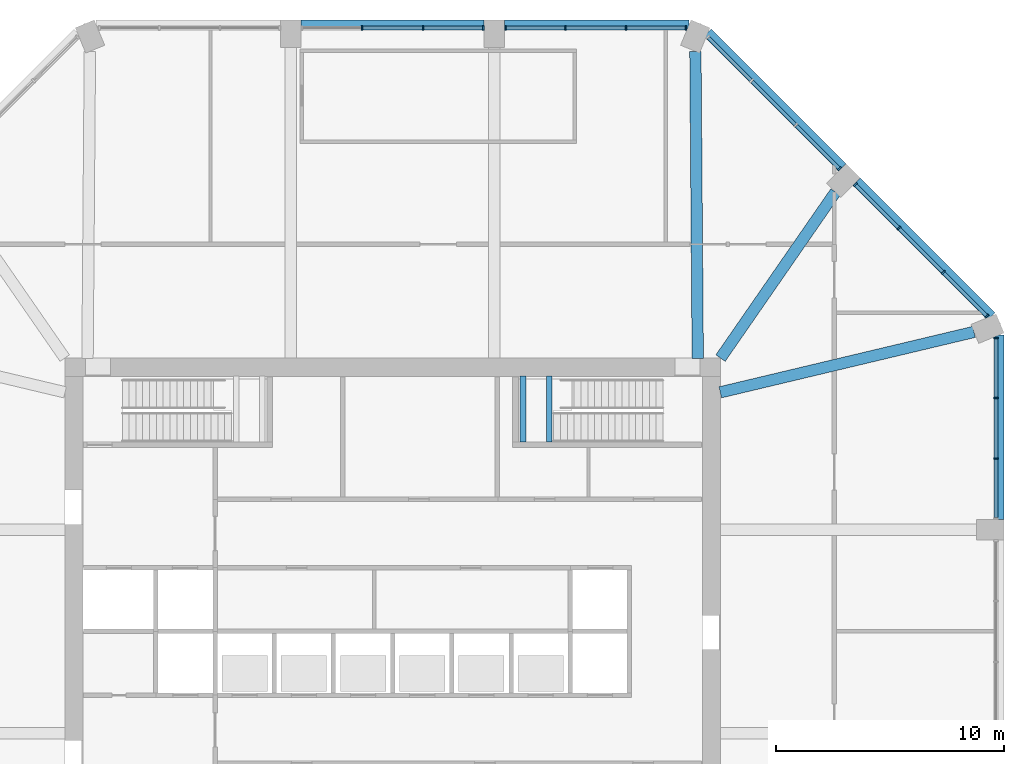
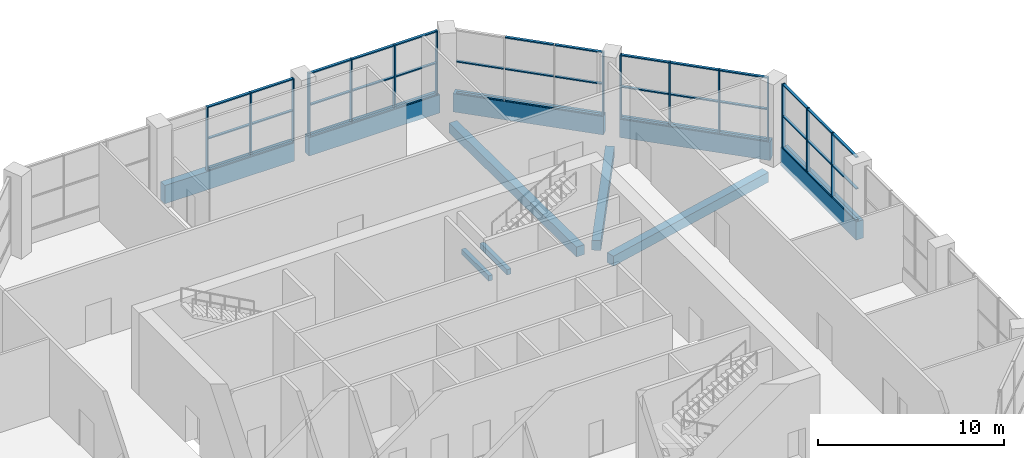
# One storey, part 7 of 16: 56 members, 10 beams, 5 elements without a shape of their own.
"""IFC4 building model written with IfcOpenShell, lengths in metres."""

from ifc_helpers import new_model, si_unit, direction, frame, origin, origin_2d, place, context, subcontext, project, spatial, rectangle, extrude, material, material_profile, profile_set, type_object, element, aggregate, save


model = new_model("IFC4")

# Units and contexts
model_context = context("Model", 3, precision=1e-05, world=origin(), true_north=direction((0.0, 1.0)))
body_context = subcontext(model_context, "Body", "Model", "MODEL_VIEW")
ifc_project = project(units=[si_unit("LENGTHUNIT", "METRE"), si_unit("AREAUNIT", "SQUARE_METRE"), si_unit("VOLUMEUNIT", "CUBIC_METRE"), si_unit("PLANEANGLEUNIT", "RADIAN"), si_unit("MASSUNIT", "GRAM", prefix="KILO")], contexts=[model_context])

# Site, building, storey
site_placement = place(None, origin())
site = spatial("IfcSite", under=ifc_project, at=site_placement, CompositionType="ELEMENT")
building_placement = place(site_placement, origin())
building = spatial("IfcBuilding", under=site, at=building_placement, Name="Msitu Wima Residences", CompositionType="ELEMENT")
storey_placement = place(building_placement, frame((0.0, 0.0, 156.89990234375)))
storey = spatial("IfcBuildingStorey", under=building, at=storey_placement, Name="L36", CompositionType="ELEMENT", Elevation=156.89990234375)

# Beams
ifc_material_1 = material(Name="Concrete C50/60", Category="concrete")
ifc_material_profile_1 = material_profile(ifc_material_1, rectangle(XDim=0.5, YDim=0.64990234375, at=origin_2d()), Name="RC 500x650")
ifc_profile_set_1 = profile_set([ifc_material_profile_1], Name="Concrete C50/60")
beam_type_1 = type_object("IfcBeamType", Name="Beam RC 500x650 Concrete C50/60", PredefinedType="BEAM", material=ifc_profile_set_1)
beam_1_placement = place(storey_placement, frame((25.5322265625, 13.150634765625, -0.724853515625), z_axis=(-0.972805528659, -0.231623408598, 0.0), x_axis=(0.231623408598, -0.972805528659, 0.0)))
element("IfcBeam", 1, at=beam_1_placement, inside=storey, type_object=beam_type_1, Name="Beam L36 C-NE0", PredefinedType="BEAM", context=body_context, shape_type="SweptSolid", body=[
    extrude(rectangle(XDim=0.5, YDim=0.64990234375, at=origin_2d()), origin(), (0.0, 0.0, 1.0), 11.455322265625),
])
beam_2_placement = place(storey_placement, frame((19.44970703125, 19.29541015625, -0.724853515625), z_axis=(-0.569144158363, -0.822237755763, 0.0), x_axis=(0.822237755763, -0.569144158363, 0.0)))
element("IfcBeam", 2, at=beam_2_placement, inside=storey, type_object=beam_type_1, Name="Beam L36 C-NE1", PredefinedType="BEAM", context=body_context, shape_type="SweptSolid", body=[
    extrude(rectangle(XDim=0.5, YDim=0.64990234375, at=origin_2d()), origin(), (0.0, 0.0, 1.0), 8.87255859375),
])
beam_3_placement = place(storey_placement, frame((13.29638671875, 25.471923828125, -0.724853515625), z_axis=(0.007694865426, -0.999970394085, 0.0), x_axis=(0.999970394085, 0.007694865426, 0.0)))
element("IfcBeam", 3, at=beam_3_placement, inside=storey, type_object=beam_type_1, Name="Beam L36 C-N0", PredefinedType="BEAM", context=body_context, shape_type="SweptSolid", body=[
    extrude(rectangle(XDim=0.5, YDim=0.64990234375, at=origin_2d()), origin(), (0.0, 0.0, 1.0), 13.484375),
])
ifc_material_2 = material(Name="Concrete C40/50", Category="concrete")
ifc_material_profile_2 = material_profile(ifc_material_2, rectangle(XDim=0.25, YDim=0.35009765625, at=origin_2d()), Name="RC 250x350")
ifc_profile_set_2 = profile_set([ifc_material_profile_2], Name="Concrete C40/50")
beam_type_2 = type_object("IfcBeamType", Name="Landing beam RC 250x350", PredefinedType="BEAM", material=ifc_profile_set_2)
for number, where, z_axis, x_axis, name in (
    (4, (6.875, 8.324951171875, 2.406982421875), (0.0, 1.0, 0.0), (-1.0, 0.0, 0.0), "Stair 3 landing beam"),
    (5, (5.72509765625, 8.324951171875, 2.406982421875), (0.0, 1.0, 0.0), (-1.0, 0.0, 0.0), "Stair 3 landing beam"),
):
    element("IfcBeam", number, at=place(storey_placement, frame(where, z_axis=z_axis, x_axis=x_axis)), inside=storey, type_object=beam_type_2, Name=name, PredefinedType="BEAM", context=body_context, shape_type="SweptSolid", body=[
        extrude(rectangle(XDim=0.25, YDim=0.35009765625, at=origin_2d()), origin(), (0.0, 0.0, 1.0), 2.900146484375),
    ])

# Curtain wall, members
ifc_material_3 = material(Name="Anodised aluminium, bronze finish, solar control laminated double glazing", Category="aluminium")
curtain_wall_type = type_object("IfcCurtainWallType", Name="Curtain wall CW2 sky amenity wall", PredefinedType="NOTDEFINED", material=ifc_material_3)
curtain_wall_1_placement = place(storey_placement, origin())
curtain_wall_1 = element("IfcCurtainWall", 6, at=curtain_wall_1_placement, inside=storey, type_object=curtain_wall_type, Name="Curtain wall CW2 L36 E2", PredefinedType="NOTDEFINED")
ifc_material_4 = material(Name="Anodised aluminium, bronze finish", Category="aluminium")
ifc_material_profile_3 = material_profile(ifc_material_4, rectangle(XDim=0.199951171875, YDim=0.074951171875, at=origin_2d()), Name="Mullion 75x200")
ifc_profile_set_3 = profile_set([ifc_material_profile_3], Name="Anodised aluminium, bronze finish")
member_type_1 = type_object("IfcMemberType", Name="Mullion CW2 75x200", PredefinedType="MULLION", material=ifc_profile_set_3)
member_1_placement = place(storey_placement, frame((26.5, 7.58544921875, 0.900146484375), z_axis=(0.0, 0.0, 1.0), x_axis=(-1.0, 0.0, 0.0)))
member_1 = element("IfcMember", 7, at=member_1_placement, type_object=member_type_1, Name="CW2 mullion 2", PredefinedType="MULLION", context=body_context, shape_type="SweptSolid", body=[
    extrude(rectangle(XDim=0.199951171875, YDim=0.074951171875, at=origin_2d()), origin(), (0.0, 0.0, 1.0), 4.199951171875),
])
member_2_placement = place(storey_placement, frame((26.5, 10.252197265625, 0.900146484375), z_axis=(0.0, 0.0, 1.0), x_axis=(-1.0, 0.0, 0.0)))
member_2 = element("IfcMember", 8, at=member_2_placement, type_object=member_type_1, Name="CW2 mullion 3", PredefinedType="MULLION", context=body_context, shape_type="SweptSolid", body=[
    extrude(rectangle(XDim=0.199951171875, YDim=0.074951171875, at=origin_2d()), origin(), (0.0, 0.0, 1.0), 4.199951171875),
])
member_3_placement = place(storey_placement, frame((26.5, 12.88134765625, 0.900146484375), z_axis=(0.0, 0.0, 1.0), x_axis=(-1.0, 0.0, 0.0)))
member_3 = element("IfcMember", 9, at=member_3_placement, type_object=member_type_1, Name="CW2 mullion 4", PredefinedType="MULLION", context=body_context, shape_type="SweptSolid", body=[
    extrude(rectangle(XDim=0.199951171875, YDim=0.074951171875, at=origin_2d()), origin(), (0.0, 0.0, 1.0), 4.199951171875),
])

curtain_wall_2_placement = place(storey_placement, origin())
curtain_wall_2 = element("IfcCurtainWall", 10, at=curtain_wall_2_placement, inside=storey, type_object=curtain_wall_type, Name="Curtain wall CW2 L36 NE0", PredefinedType="NOTDEFINED")
member_4_placement = place(storey_placement, frame((26.099853515625, 13.847412109375, 0.900146484375), z_axis=(0.0, 0.0, 1.0), x_axis=(-0.707106841783, -0.707106720591, 0.0)))
member_4 = element("IfcMember", 11, at=member_4_placement, type_object=member_type_1, Name="CW2 mullion 1", PredefinedType="MULLION", context=body_context, shape_type="SweptSolid", body=[
    extrude(rectangle(XDim=0.199951171875, YDim=0.074951171875, at=origin_2d()), origin(), (0.0, 0.0, 1.0), 4.199951171875),
])
member_5_placement = place(storey_placement, frame((24.181396484375, 15.765869140625, 0.900146484375), z_axis=(0.0, 0.0, 1.0), x_axis=(-0.707106841783, -0.707106720591, 0.0)))
member_5 = element("IfcMember", 12, at=member_5_placement, type_object=member_type_1, Name="CW2 mullion 2", PredefinedType="MULLION", context=body_context, shape_type="SweptSolid", body=[
    extrude(rectangle(XDim=0.199951171875, YDim=0.074951171875, at=origin_2d()), origin(), (0.0, 0.0, 1.0), 4.199951171875),
])
member_6_placement = place(storey_placement, frame((22.236572265625, 17.710693359375, 0.900146484375), z_axis=(0.0, 0.0, 1.0), x_axis=(-0.707106841783, -0.707106720591, 0.0)))
member_6 = element("IfcMember", 13, at=member_6_placement, type_object=member_type_1, Name="CW2 mullion 3", PredefinedType="MULLION", context=body_context, shape_type="SweptSolid", body=[
    extrude(rectangle(XDim=0.199951171875, YDim=0.074951171875, at=origin_2d()), origin(), (0.0, 0.0, 1.0), 4.199951171875),
])
member_7_placement = place(storey_placement, frame((20.318359375, 19.62890625, 0.900146484375), z_axis=(0.0, 0.0, 1.0), x_axis=(-0.707106841783, -0.707106720591, 0.0)))
member_7 = element("IfcMember", 14, at=member_7_placement, type_object=member_type_1, Name="CW2 mullion 4", PredefinedType="MULLION", context=body_context, shape_type="SweptSolid", body=[
    extrude(rectangle(XDim=0.199951171875, YDim=0.074951171875, at=origin_2d()), origin(), (0.0, 0.0, 1.0), 4.199951171875),
])

# Curtain wall, member
curtain_wall_3_placement = place(storey_placement, origin())
curtain_wall_3 = element("IfcCurtainWall", 15, at=curtain_wall_3_placement, inside=storey, type_object=curtain_wall_type, Name="Curtain wall CW2 L36 NE1", PredefinedType="NOTDEFINED")
member_8_placement = place(storey_placement, frame((19.62890625, 20.318359375, 0.900146484375), z_axis=(0.0, 0.0, 1.0), x_axis=(-0.707106781187, -0.707106781187, 0.0)))
member_8 = element("IfcMember", 16, at=member_8_placement, type_object=member_type_1, Name="CW2 mullion 1", PredefinedType="MULLION", context=body_context, shape_type="SweptSolid", body=[
    extrude(rectangle(XDim=0.199951171875, YDim=0.074951171875, at=origin_2d()), origin(), (0.0, 0.0, 1.0), 4.199951171875),
])

# Curtain wall, members
curtain_wall_4_placement = place(storey_placement, origin())
curtain_wall_4 = element("IfcCurtainWall", 17, at=curtain_wall_4_placement, inside=storey, type_object=curtain_wall_type, Name="Curtain wall CW2 L36 N0", PredefinedType="NOTDEFINED")
member_9_placement = place(storey_placement, frame((12.88134765625, 26.5, 0.900146484375), z_axis=(0.0, 0.0, 1.0), x_axis=(0.0, -1.0, 0.0)))
member_9 = element("IfcMember", 18, at=member_9_placement, type_object=member_type_1, Name="CW2 mullion 1", PredefinedType="MULLION", context=body_context, shape_type="SweptSolid", body=[
    extrude(rectangle(XDim=0.199951171875, YDim=0.074951171875, at=origin_2d()), origin(), (0.0, 0.0, 1.0), 4.199951171875),
])
member_10_placement = place(storey_placement, frame((10.252197265625, 26.5, 0.900146484375), z_axis=(0.0, 0.0, 1.0), x_axis=(0.0, -1.0, 0.0)))
member_10 = element("IfcMember", 19, at=member_10_placement, type_object=member_type_1, Name="CW2 mullion 2", PredefinedType="MULLION", context=body_context, shape_type="SweptSolid", body=[
    extrude(rectangle(XDim=0.199951171875, YDim=0.074951171875, at=origin_2d()), origin(), (0.0, 0.0, 1.0), 4.199951171875),
])
member_11_placement = place(storey_placement, frame((7.58544921875, 26.5, 0.900146484375), z_axis=(0.0, 0.0, 1.0), x_axis=(0.0, -1.0, 0.0)))
member_11 = element("IfcMember", 20, at=member_11_placement, type_object=member_type_1, Name="CW2 mullion 3", PredefinedType="MULLION", context=body_context, shape_type="SweptSolid", body=[
    extrude(rectangle(XDim=0.199951171875, YDim=0.074951171875, at=origin_2d()), origin(), (0.0, 0.0, 1.0), 4.199951171875),
])
member_12_placement = place(storey_placement, frame((4.9560546875, 26.5, 0.900146484375), z_axis=(0.0, 0.0, 1.0), x_axis=(0.0, -1.0, 0.0)))
member_12 = element("IfcMember", 21, at=member_12_placement, type_object=member_type_1, Name="CW2 mullion 4", PredefinedType="MULLION", context=body_context, shape_type="SweptSolid", body=[
    extrude(rectangle(XDim=0.199951171875, YDim=0.074951171875, at=origin_2d()), origin(), (0.0, 0.0, 1.0), 4.199951171875),
])

curtain_wall_5_placement = place(storey_placement, origin())
curtain_wall_5 = element("IfcCurtainWall", 22, at=curtain_wall_5_placement, inside=storey, type_object=curtain_wall_type, Name="Curtain wall CW2 L36 N1", PredefinedType="NOTDEFINED")
member_13_placement = place(storey_placement, frame((3.981201171875, 26.5, 0.900146484375), z_axis=(0.0, 0.0, 1.0), x_axis=(0.0, -1.0, 0.0)))
member_13 = element("IfcMember", 23, at=member_13_placement, type_object=member_type_1, Name="CW2 mullion 1", PredefinedType="MULLION", context=body_context, shape_type="SweptSolid", body=[
    extrude(rectangle(XDim=0.199951171875, YDim=0.074951171875, at=origin_2d()), origin(), (0.0, 0.0, 1.0), 4.199951171875),
])
member_14_placement = place(storey_placement, frame((1.339599609375, 26.5, 0.900146484375), z_axis=(0.0, 0.0, 1.0), x_axis=(0.0, -1.0, 0.0)))
member_14 = element("IfcMember", 24, at=member_14_placement, type_object=member_type_1, Name="CW2 mullion 2", PredefinedType="MULLION", context=body_context, shape_type="SweptSolid", body=[
    extrude(rectangle(XDim=0.199951171875, YDim=0.074951171875, at=origin_2d()), origin(), (0.0, 0.0, 1.0), 4.199951171875),
])
member_15_placement = place(storey_placement, frame((-1.339599609375, 26.5, 0.900146484375), z_axis=(0.0, 0.0, 1.0), x_axis=(0.0, -1.0, 0.0)))
member_15 = element("IfcMember", 25, at=member_15_placement, type_object=member_type_1, Name="CW2 mullion 3", PredefinedType="MULLION", context=body_context, shape_type="SweptSolid", body=[
    extrude(rectangle(XDim=0.199951171875, YDim=0.074951171875, at=origin_2d()), origin(), (0.0, 0.0, 1.0), 4.199951171875),
])

# Beams
ifc_material_profile_4 = material_profile(ifc_material_1, rectangle(XDim=0.449951171875, YDim=1.199951171875, at=origin_2d()), Name="RC 450x1200")
ifc_profile_set_4 = profile_set([ifc_material_profile_4], Name="Concrete C50/60")
beam_type_3 = type_object("IfcBeamType", Name="Spandrel RC 450x1200 Concrete C50/60", PredefinedType="SPANDREL", material=ifc_profile_set_4)
beam_4_placement = place(storey_placement, frame((26.625, 4.918701171875, 0.300048828125), z_axis=(0.0, 1.0, 0.0), x_axis=(-1.0, 0.0, 0.0)))
element("IfcBeam", 26, at=beam_4_placement, inside=storey, type_object=beam_type_3, Name="Spandrel L36 E2", PredefinedType="SPANDREL", context=body_context, shape_type="SweptSolid", body=[
    extrude(rectangle(XDim=0.449951171875, YDim=1.199951171875, at=origin_2d()), origin(), (0.0, 0.0, 1.0), 8.105224609375),
])
for number, where, z_axis, x_axis, name in (
    (27, (26.2890625, 13.8349609375, 0.300048828125), (-0.707106781187, 0.707106781187, 0.0), (-0.707106781187, -0.707106781187, 0.0), "Spandrel L36 NE0"),
    (28, (19.743896484375, 20.380126953125, 0.300048828125), (-0.707106781187, 0.707106781187, 0.0), (-0.707106781187, -0.707106781187, 0.0), "Spandrel L36 NE1"),
):
    element("IfcBeam", number, at=place(storey_placement, frame(where, z_axis=z_axis, x_axis=x_axis)), inside=storey, type_object=beam_type_3, Name=name, PredefinedType="SPANDREL", context=body_context, shape_type="SweptSolid", body=[
        extrude(rectangle(XDim=0.449951171875, YDim=1.199951171875, at=origin_2d()), origin(), (0.0, 0.0, 1.0), 8.3564453125),
    ])
beam_5_placement = place(storey_placement, frame((13.02392578125, 26.625, 0.300048828125), z_axis=(-1.0, 0.0, 0.0), x_axis=(0.0, -1.0, 0.0)))
element("IfcBeam", 29, at=beam_5_placement, inside=storey, type_object=beam_type_3, Name="Spandrel L36 N0", PredefinedType="SPANDREL", context=body_context, shape_type="SweptSolid", body=[
    extrude(rectangle(XDim=0.449951171875, YDim=1.199951171875, at=origin_2d()), origin(), (0.0, 0.0, 1.0), 8.105224609375),
])
beam_6_placement = place(storey_placement, frame((4.0185546875, 26.625, 0.300048828125), z_axis=(-1.0, 0.0, 0.0), x_axis=(0.0, -1.0, 0.0)))
element("IfcBeam", 30, at=beam_6_placement, inside=storey, type_object=beam_type_3, Name="Spandrel L36 N1", PredefinedType="SPANDREL", context=body_context, shape_type="SweptSolid", body=[
    extrude(rectangle(XDim=0.449951171875, YDim=1.199951171875, at=origin_2d()), origin(), (0.0, 0.0, 1.0), 8.037109375),
])

# Member
ifc_material_profile_5 = material_profile(ifc_material_4, rectangle(XDim=0.159912109375, YDim=0.074951171875, at=origin_2d()), Name="Transom 75x160")
ifc_profile_set_5 = profile_set([ifc_material_profile_5], Name="Anodised aluminium, bronze finish")
member_type_2 = type_object("IfcMemberType", Name="Transom CW2 75x160", PredefinedType="USERDEFINED", material=ifc_profile_set_5)
member_16_placement = place(storey_placement, frame((26.5, 4.99365234375, 0.9375), z_axis=(0.0, 1.0, 0.0), x_axis=(-1.0, 0.0, 0.0)))
member_16 = element("IfcMember", 31, at=member_16_placement, type_object=member_type_2, Name="CW2 transom 1.1", ObjectType="TRANSOM", PredefinedType="USERDEFINED", context=body_context, shape_type="SweptSolid", body=[
    extrude(rectangle(XDim=0.159912109375, YDim=0.074951171875, at=origin_2d()), origin(), (0.0, 0.0, 1.0), 2.55419921875),
])

member_17_placement = place(storey_placement, frame((26.5, 4.99365234375, 3.0), z_axis=(0.0, 1.0, 0.0), x_axis=(-1.0, 0.0, 0.0)))
member_17 = element("IfcMember", 32, at=member_17_placement, type_object=member_type_2, Name="CW2 transom 1.2", ObjectType="TRANSOM", PredefinedType="USERDEFINED", context=body_context, shape_type="SweptSolid", body=[
    extrude(rectangle(XDim=0.159912109375, YDim=0.074951171875, at=origin_2d()), origin(), (0.0, 0.0, 1.0), 2.55419921875),
])

member_18_placement = place(storey_placement, frame((26.5, 4.99365234375, 5.0625), z_axis=(0.0, 1.0, 0.0), x_axis=(-1.0, 0.0, 0.0)))
member_18 = element("IfcMember", 33, at=member_18_placement, type_object=member_type_2, Name="CW2 transom 1.3", ObjectType="TRANSOM", PredefinedType="USERDEFINED", context=body_context, shape_type="SweptSolid", body=[
    extrude(rectangle(XDim=0.159912109375, YDim=0.074951171875, at=origin_2d()), origin(), (0.0, 0.0, 1.0), 2.55419921875),
])

member_19_placement = place(storey_placement, frame((26.5, 7.622802734375, 0.9375), z_axis=(0.0, 1.0, 0.0), x_axis=(-1.0, 0.0, 0.0)))
member_19 = element("IfcMember", 34, at=member_19_placement, type_object=member_type_2, Name="CW2 transom 2.1", ObjectType="TRANSOM", PredefinedType="USERDEFINED", context=body_context, shape_type="SweptSolid", body=[
    extrude(rectangle(XDim=0.159912109375, YDim=0.074951171875, at=origin_2d()), origin(), (0.0, 0.0, 1.0), 2.591796875),
])

member_20_placement = place(storey_placement, frame((26.5, 7.622802734375, 3.0), z_axis=(0.0, 1.0, 0.0), x_axis=(-1.0, 0.0, 0.0)))
member_20 = element("IfcMember", 35, at=member_20_placement, type_object=member_type_2, Name="CW2 transom 2.2", ObjectType="TRANSOM", PredefinedType="USERDEFINED", context=body_context, shape_type="SweptSolid", body=[
    extrude(rectangle(XDim=0.159912109375, YDim=0.074951171875, at=origin_2d()), origin(), (0.0, 0.0, 1.0), 2.591796875),
])

member_21_placement = place(storey_placement, frame((26.5, 7.622802734375, 5.0625), z_axis=(0.0, 1.0, 0.0), x_axis=(-1.0, 0.0, 0.0)))
member_21 = element("IfcMember", 36, at=member_21_placement, type_object=member_type_2, Name="CW2 transom 2.3", ObjectType="TRANSOM", PredefinedType="USERDEFINED", context=body_context, shape_type="SweptSolid", body=[
    extrude(rectangle(XDim=0.159912109375, YDim=0.074951171875, at=origin_2d()), origin(), (0.0, 0.0, 1.0), 2.591796875),
])

member_22_placement = place(storey_placement, frame((26.5, 10.28955078125, 0.9375), z_axis=(0.0, 1.0, 0.0), x_axis=(-1.0, 0.0, 0.0)))
member_22 = element("IfcMember", 37, at=member_22_placement, type_object=member_type_2, Name="CW2 transom 3.1", ObjectType="TRANSOM", PredefinedType="USERDEFINED", context=body_context, shape_type="SweptSolid", body=[
    extrude(rectangle(XDim=0.159912109375, YDim=0.074951171875, at=origin_2d()), origin(), (0.0, 0.0, 1.0), 2.55419921875),
])

member_23_placement = place(storey_placement, frame((26.5, 10.28955078125, 3.0), z_axis=(0.0, 1.0, 0.0), x_axis=(-1.0, 0.0, 0.0)))
member_23 = element("IfcMember", 38, at=member_23_placement, type_object=member_type_2, Name="CW2 transom 3.2", ObjectType="TRANSOM", PredefinedType="USERDEFINED", context=body_context, shape_type="SweptSolid", body=[
    extrude(rectangle(XDim=0.159912109375, YDim=0.074951171875, at=origin_2d()), origin(), (0.0, 0.0, 1.0), 2.55419921875),
])

member_24_placement = place(storey_placement, frame((26.5, 10.28955078125, 5.0625), z_axis=(0.0, 1.0, 0.0), x_axis=(-1.0, 0.0, 0.0)))
member_24 = element("IfcMember", 39, at=member_24_placement, type_object=member_type_2, Name="CW2 transom 3.3", ObjectType="TRANSOM", PredefinedType="USERDEFINED", context=body_context, shape_type="SweptSolid", body=[
    extrude(rectangle(XDim=0.159912109375, YDim=0.074951171875, at=origin_2d()), origin(), (0.0, 0.0, 1.0), 2.55419921875),
])

aggregate(curtain_wall_1, [member_1, member_2, member_3, member_16, member_17, member_18, member_19, member_20, member_21, member_22, member_23, member_24])

member_25_placement = place(storey_placement, frame((26.0732421875, 13.8740234375, 0.9375), z_axis=(-0.707106781187, 0.707106781187, 0.0), x_axis=(-0.707106781187, -0.707106781187, 0.0)))
member_25 = element("IfcMember", 40, at=member_25_placement, type_object=member_type_2, Name="CW2 transom 1.1", ObjectType="TRANSOM", PredefinedType="USERDEFINED", context=body_context, shape_type="SweptSolid", body=[
    extrude(rectangle(XDim=0.159912109375, YDim=0.074951171875, at=origin_2d()), origin(), (0.0, 0.0, 1.0), 2.637939453125),
])

member_26_placement = place(storey_placement, frame((26.0732421875, 13.8740234375, 3.0), z_axis=(-0.707106781187, 0.707106781187, 0.0), x_axis=(-0.707106781187, -0.707106781187, 0.0)))
member_26 = element("IfcMember", 41, at=member_26_placement, type_object=member_type_2, Name="CW2 transom 1.2", ObjectType="TRANSOM", PredefinedType="USERDEFINED", context=body_context, shape_type="SweptSolid", body=[
    extrude(rectangle(XDim=0.159912109375, YDim=0.074951171875, at=origin_2d()), origin(), (0.0, 0.0, 1.0), 2.637939453125),
])

member_27_placement = place(storey_placement, frame((26.0732421875, 13.8740234375, 5.0625), z_axis=(-0.707106781187, 0.707106781187, 0.0), x_axis=(-0.707106781187, -0.707106781187, 0.0)))
member_27 = element("IfcMember", 42, at=member_27_placement, type_object=member_type_2, Name="CW2 transom 1.3", ObjectType="TRANSOM", PredefinedType="USERDEFINED", context=body_context, shape_type="SweptSolid", body=[
    extrude(rectangle(XDim=0.159912109375, YDim=0.074951171875, at=origin_2d()), origin(), (0.0, 0.0, 1.0), 2.637939453125),
])

member_28_placement = place(storey_placement, frame((24.155029296875, 15.792236328125, 0.9375), z_axis=(-0.707106781187, 0.707106781187, 0.0), x_axis=(-0.707106781187, -0.707106781187, 0.0)))
member_28 = element("IfcMember", 43, at=member_28_placement, type_object=member_type_2, Name="CW2 transom 2.1", ObjectType="TRANSOM", PredefinedType="USERDEFINED", context=body_context, shape_type="SweptSolid", body=[
    extrude(rectangle(XDim=0.159912109375, YDim=0.074951171875, at=origin_2d()), origin(), (0.0, 0.0, 1.0), 2.675537109375),
])

member_29_placement = place(storey_placement, frame((24.155029296875, 15.792236328125, 3.0), z_axis=(-0.707106781187, 0.707106781187, 0.0), x_axis=(-0.707106781187, -0.707106781187, 0.0)))
member_29 = element("IfcMember", 44, at=member_29_placement, type_object=member_type_2, Name="CW2 transom 2.2", ObjectType="TRANSOM", PredefinedType="USERDEFINED", context=body_context, shape_type="SweptSolid", body=[
    extrude(rectangle(XDim=0.159912109375, YDim=0.074951171875, at=origin_2d()), origin(), (0.0, 0.0, 1.0), 2.675537109375),
])

member_30_placement = place(storey_placement, frame((24.155029296875, 15.792236328125, 5.0625), z_axis=(-0.707106781187, 0.707106781187, 0.0), x_axis=(-0.707106781187, -0.707106781187, 0.0)))
member_30 = element("IfcMember", 45, at=member_30_placement, type_object=member_type_2, Name="CW2 transom 2.3", ObjectType="TRANSOM", PredefinedType="USERDEFINED", context=body_context, shape_type="SweptSolid", body=[
    extrude(rectangle(XDim=0.159912109375, YDim=0.074951171875, at=origin_2d()), origin(), (0.0, 0.0, 1.0), 2.675537109375),
])

member_31_placement = place(storey_placement, frame((22.210205078125, 17.737060546875, 0.9375), z_axis=(-0.707060506079, 0.707153053266, 0.0), x_axis=(-0.707153053266, -0.707060506079, 0.0)))
member_31 = element("IfcMember", 46, at=member_31_placement, type_object=member_type_2, Name="CW2 transom 3.1", ObjectType="TRANSOM", PredefinedType="USERDEFINED", context=body_context, shape_type="SweptSolid", body=[
    extrude(rectangle(XDim=0.159912109375, YDim=0.074951171875, at=origin_2d()), origin(), (0.0, 0.0, 1.0), 2.637939453125),
])

member_32_placement = place(storey_placement, frame((22.210205078125, 17.737060546875, 3.0), z_axis=(-0.707060506079, 0.707153053266, 0.0), x_axis=(-0.707153053266, -0.707060506079, 0.0)))
member_32 = element("IfcMember", 47, at=member_32_placement, type_object=member_type_2, Name="CW2 transom 3.2", ObjectType="TRANSOM", PredefinedType="USERDEFINED", context=body_context, shape_type="SweptSolid", body=[
    extrude(rectangle(XDim=0.159912109375, YDim=0.074951171875, at=origin_2d()), origin(), (0.0, 0.0, 1.0), 2.637939453125),
])

member_33_placement = place(storey_placement, frame((22.210205078125, 17.737060546875, 5.0625), z_axis=(-0.707060506079, 0.707153053266, 0.0), x_axis=(-0.707153053266, -0.707060506079, 0.0)))
member_33 = element("IfcMember", 48, at=member_33_placement, type_object=member_type_2, Name="CW2 transom 3.3", ObjectType="TRANSOM", PredefinedType="USERDEFINED", context=body_context, shape_type="SweptSolid", body=[
    extrude(rectangle(XDim=0.159912109375, YDim=0.074951171875, at=origin_2d()), origin(), (0.0, 0.0, 1.0), 2.637939453125),
])

aggregate(curtain_wall_2, [member_4, member_5, member_6, member_7, member_25, member_26, member_27, member_28, member_29, member_30, member_31, member_32, member_33])

member_34_placement = place(storey_placement, frame((19.6025390625, 20.344970703125, 0.9375), z_axis=(-0.707153053266, 0.707060506079, 0.0), x_axis=(-0.707060506079, -0.707153053266, 0.0)))
member_34 = element("IfcMember", 49, at=member_34_placement, type_object=member_type_2, Name="CW2 transom 1.1", ObjectType="TRANSOM", PredefinedType="USERDEFINED", context=body_context, shape_type="SweptSolid", body=[
    extrude(rectangle(XDim=0.159912109375, YDim=0.074951171875, at=origin_2d()), origin(), (0.0, 0.0, 1.0), 2.637939453125),
])

member_35_placement = place(storey_placement, frame((19.6025390625, 20.344970703125, 3.0), z_axis=(-0.707153053266, 0.707060506079, 0.0), x_axis=(-0.707060506079, -0.707153053266, 0.0)))
member_35 = element("IfcMember", 50, at=member_35_placement, type_object=member_type_2, Name="CW2 transom 1.2", ObjectType="TRANSOM", PredefinedType="USERDEFINED", context=body_context, shape_type="SweptSolid", body=[
    extrude(rectangle(XDim=0.159912109375, YDim=0.074951171875, at=origin_2d()), origin(), (0.0, 0.0, 1.0), 2.637939453125),
])

member_36_placement = place(storey_placement, frame((19.6025390625, 20.344970703125, 5.0625), z_axis=(-0.707153053266, 0.707060506079, 0.0), x_axis=(-0.707060506079, -0.707153053266, 0.0)))
member_36 = element("IfcMember", 51, at=member_36_placement, type_object=member_type_2, Name="CW2 transom 1.3", ObjectType="TRANSOM", PredefinedType="USERDEFINED", context=body_context, shape_type="SweptSolid", body=[
    extrude(rectangle(XDim=0.159912109375, YDim=0.074951171875, at=origin_2d()), origin(), (0.0, 0.0, 1.0), 2.637939453125),
])

member_37_placement = place(storey_placement, frame((17.68408203125, 22.26318359375, 0.9375), z_axis=(-0.707106781187, 0.707106781187, 0.0), x_axis=(-0.707106781187, -0.707106781187, 0.0)))
member_37 = element("IfcMember", 52, at=member_37_placement, type_object=member_type_2, Name="CW2 transom 2.1", ObjectType="TRANSOM", PredefinedType="USERDEFINED", context=body_context, shape_type="SweptSolid", body=[
    extrude(rectangle(XDim=0.159912109375, YDim=0.074951171875, at=origin_2d()), origin(), (0.0, 0.0, 1.0), 2.675537109375),
])

member_38_placement = place(storey_placement, frame((17.68408203125, 22.26318359375, 3.0), z_axis=(-0.707106781187, 0.707106781187, 0.0), x_axis=(-0.707106781187, -0.707106781187, 0.0)))
member_38 = element("IfcMember", 53, at=member_38_placement, type_object=member_type_2, Name="CW2 transom 2.2", ObjectType="TRANSOM", PredefinedType="USERDEFINED", context=body_context, shape_type="SweptSolid", body=[
    extrude(rectangle(XDim=0.159912109375, YDim=0.074951171875, at=origin_2d()), origin(), (0.0, 0.0, 1.0), 2.675537109375),
])

member_39_placement = place(storey_placement, frame((17.68408203125, 22.26318359375, 5.0625), z_axis=(-0.707106781187, 0.707106781187, 0.0), x_axis=(-0.707106781187, -0.707106781187, 0.0)))
member_39 = element("IfcMember", 54, at=member_39_placement, type_object=member_type_2, Name="CW2 transom 2.3", ObjectType="TRANSOM", PredefinedType="USERDEFINED", context=body_context, shape_type="SweptSolid", body=[
    extrude(rectangle(XDim=0.159912109375, YDim=0.074951171875, at=origin_2d()), origin(), (0.0, 0.0, 1.0), 2.675537109375),
])

member_40_placement = place(storey_placement, frame((15.7392578125, 24.2080078125, 0.9375), z_axis=(-0.707106781187, 0.707106781187, 0.0), x_axis=(-0.707106781187, -0.707106781187, 0.0)))
member_40 = element("IfcMember", 55, at=member_40_placement, type_object=member_type_2, Name="CW2 transom 3.1", ObjectType="TRANSOM", PredefinedType="USERDEFINED", context=body_context, shape_type="SweptSolid", body=[
    extrude(rectangle(XDim=0.159912109375, YDim=0.074951171875, at=origin_2d()), origin(), (0.0, 0.0, 1.0), 2.637939453125),
])

member_41_placement = place(storey_placement, frame((15.7392578125, 24.2080078125, 3.0), z_axis=(-0.707106781187, 0.707106781187, 0.0), x_axis=(-0.707106781187, -0.707106781187, 0.0)))
member_41 = element("IfcMember", 56, at=member_41_placement, type_object=member_type_2, Name="CW2 transom 3.2", ObjectType="TRANSOM", PredefinedType="USERDEFINED", context=body_context, shape_type="SweptSolid", body=[
    extrude(rectangle(XDim=0.159912109375, YDim=0.074951171875, at=origin_2d()), origin(), (0.0, 0.0, 1.0), 2.637939453125),
])

aggregate(curtain_wall_3, [member_8, member_34, member_35, member_36, member_37, member_38, member_39, member_40, member_41])

member_42_placement = place(storey_placement, frame((12.84375, 26.5, 0.9375), z_axis=(-1.0, 0.0, 0.0), x_axis=(0.0, -1.0, 0.0)))
member_42 = element("IfcMember", 57, at=member_42_placement, type_object=member_type_2, Name="CW2 transom 1.1", ObjectType="TRANSOM", PredefinedType="USERDEFINED", context=body_context, shape_type="SweptSolid", body=[
    extrude(rectangle(XDim=0.159912109375, YDim=0.074951171875, at=origin_2d()), origin(), (0.0, 0.0, 1.0), 2.55419921875),
])

member_43_placement = place(storey_placement, frame((12.84375, 26.5, 3.0), z_axis=(-1.0, 0.0, 0.0), x_axis=(0.0, -1.0, 0.0)))
member_43 = element("IfcMember", 58, at=member_43_placement, type_object=member_type_2, Name="CW2 transom 1.2", ObjectType="TRANSOM", PredefinedType="USERDEFINED", context=body_context, shape_type="SweptSolid", body=[
    extrude(rectangle(XDim=0.159912109375, YDim=0.074951171875, at=origin_2d()), origin(), (0.0, 0.0, 1.0), 2.55419921875),
])

member_44_placement = place(storey_placement, frame((12.84375, 26.5, 5.0625), z_axis=(-1.0, 0.0, 0.0), x_axis=(0.0, -1.0, 0.0)))
member_44 = element("IfcMember", 59, at=member_44_placement, type_object=member_type_2, Name="CW2 transom 1.3", ObjectType="TRANSOM", PredefinedType="USERDEFINED", context=body_context, shape_type="SweptSolid", body=[
    extrude(rectangle(XDim=0.159912109375, YDim=0.074951171875, at=origin_2d()), origin(), (0.0, 0.0, 1.0), 2.55419921875),
])

member_45_placement = place(storey_placement, frame((10.214599609375, 26.5, 0.9375), z_axis=(-1.0, 0.0, 0.0), x_axis=(0.0, -1.0, 0.0)))
member_45 = element("IfcMember", 60, at=member_45_placement, type_object=member_type_2, Name="CW2 transom 2.1", ObjectType="TRANSOM", PredefinedType="USERDEFINED", context=body_context, shape_type="SweptSolid", body=[
    extrude(rectangle(XDim=0.159912109375, YDim=0.074951171875, at=origin_2d()), origin(), (0.0, 0.0, 1.0), 2.591796875),
])

member_46_placement = place(storey_placement, frame((10.214599609375, 26.5, 3.0), z_axis=(-1.0, 0.0, 0.0), x_axis=(0.0, -1.0, 0.0)))
member_46 = element("IfcMember", 61, at=member_46_placement, type_object=member_type_2, Name="CW2 transom 2.2", ObjectType="TRANSOM", PredefinedType="USERDEFINED", context=body_context, shape_type="SweptSolid", body=[
    extrude(rectangle(XDim=0.159912109375, YDim=0.074951171875, at=origin_2d()), origin(), (0.0, 0.0, 1.0), 2.591796875),
])

member_47_placement = place(storey_placement, frame((10.214599609375, 26.5, 5.0625), z_axis=(-1.0, 0.0, 0.0), x_axis=(0.0, -1.0, 0.0)))
member_47 = element("IfcMember", 62, at=member_47_placement, type_object=member_type_2, Name="CW2 transom 2.3", ObjectType="TRANSOM", PredefinedType="USERDEFINED", context=body_context, shape_type="SweptSolid", body=[
    extrude(rectangle(XDim=0.159912109375, YDim=0.074951171875, at=origin_2d()), origin(), (0.0, 0.0, 1.0), 2.591796875),
])

member_48_placement = place(storey_placement, frame((7.5478515625, 26.5, 0.9375), z_axis=(-1.0, 0.0, 0.0), x_axis=(0.0, -1.0, 0.0)))
member_48 = element("IfcMember", 63, at=member_48_placement, type_object=member_type_2, Name="CW2 transom 3.1", ObjectType="TRANSOM", PredefinedType="USERDEFINED", context=body_context, shape_type="SweptSolid", body=[
    extrude(rectangle(XDim=0.159912109375, YDim=0.074951171875, at=origin_2d()), origin(), (0.0, 0.0, 1.0), 2.55419921875),
])

member_49_placement = place(storey_placement, frame((7.5478515625, 26.5, 3.0), z_axis=(-1.0, 0.0, 0.0), x_axis=(0.0, -1.0, 0.0)))
member_49 = element("IfcMember", 64, at=member_49_placement, type_object=member_type_2, Name="CW2 transom 3.2", ObjectType="TRANSOM", PredefinedType="USERDEFINED", context=body_context, shape_type="SweptSolid", body=[
    extrude(rectangle(XDim=0.159912109375, YDim=0.074951171875, at=origin_2d()), origin(), (0.0, 0.0, 1.0), 2.55419921875),
])

member_50_placement = place(storey_placement, frame((7.5478515625, 26.5, 5.0625), z_axis=(-1.0, 0.0, 0.0), x_axis=(0.0, -1.0, 0.0)))
member_50 = element("IfcMember", 65, at=member_50_placement, type_object=member_type_2, Name="CW2 transom 3.3", ObjectType="TRANSOM", PredefinedType="USERDEFINED", context=body_context, shape_type="SweptSolid", body=[
    extrude(rectangle(XDim=0.159912109375, YDim=0.074951171875, at=origin_2d()), origin(), (0.0, 0.0, 1.0), 2.55419921875),
])

aggregate(curtain_wall_4, [member_9, member_10, member_11, member_12, member_42, member_43, member_44, member_45, member_46, member_47, member_48, member_49, member_50])

member_51_placement = place(storey_placement, frame((3.943603515625, 26.5, 0.9375), z_axis=(-1.0, 0.0, 0.0), x_axis=(0.0, -1.0, 0.0)))
member_51 = element("IfcMember", 66, at=member_51_placement, type_object=member_type_2, Name="CW2 transom 1.1", ObjectType="TRANSOM", PredefinedType="USERDEFINED", context=body_context, shape_type="SweptSolid", body=[
    extrude(rectangle(XDim=0.159912109375, YDim=0.074951171875, at=origin_2d()), origin(), (0.0, 0.0, 1.0), 2.566650390625),
])

member_52_placement = place(storey_placement, frame((3.943603515625, 26.5, 3.0), z_axis=(-1.0, 0.0, 0.0), x_axis=(0.0, -1.0, 0.0)))
member_52 = element("IfcMember", 67, at=member_52_placement, type_object=member_type_2, Name="CW2 transom 1.2", ObjectType="TRANSOM", PredefinedType="USERDEFINED", context=body_context, shape_type="SweptSolid", body=[
    extrude(rectangle(XDim=0.159912109375, YDim=0.074951171875, at=origin_2d()), origin(), (0.0, 0.0, 1.0), 2.566650390625),
])

member_53_placement = place(storey_placement, frame((3.943603515625, 26.5, 5.0625), z_axis=(-1.0, 0.0, 0.0), x_axis=(0.0, -1.0, 0.0)))
member_53 = element("IfcMember", 68, at=member_53_placement, type_object=member_type_2, Name="CW2 transom 1.3", ObjectType="TRANSOM", PredefinedType="USERDEFINED", context=body_context, shape_type="SweptSolid", body=[
    extrude(rectangle(XDim=0.159912109375, YDim=0.074951171875, at=origin_2d()), origin(), (0.0, 0.0, 1.0), 2.566650390625),
])

member_54_placement = place(storey_placement, frame((1.302001953125, 26.5, 0.9375), z_axis=(-1.0, 0.0, 0.0), x_axis=(0.0, -1.0, 0.0)))
member_54 = element("IfcMember", 69, at=member_54_placement, type_object=member_type_2, Name="CW2 transom 2.1", ObjectType="TRANSOM", PredefinedType="USERDEFINED", context=body_context, shape_type="SweptSolid", body=[
    extrude(rectangle(XDim=0.159912109375, YDim=0.074951171875, at=origin_2d()), origin(), (0.0, 0.0, 1.0), 2.60400390625),
])

member_55_placement = place(storey_placement, frame((1.302001953125, 26.5, 3.0), z_axis=(-1.0, 0.0, 0.0), x_axis=(0.0, -1.0, 0.0)))
member_55 = element("IfcMember", 70, at=member_55_placement, type_object=member_type_2, Name="CW2 transom 2.2", ObjectType="TRANSOM", PredefinedType="USERDEFINED", context=body_context, shape_type="SweptSolid", body=[
    extrude(rectangle(XDim=0.159912109375, YDim=0.074951171875, at=origin_2d()), origin(), (0.0, 0.0, 1.0), 2.60400390625),
])

member_56_placement = place(storey_placement, frame((1.302001953125, 26.5, 5.0625), z_axis=(-1.0, 0.0, 0.0), x_axis=(0.0, -1.0, 0.0)))
member_56 = element("IfcMember", 71, at=member_56_placement, type_object=member_type_2, Name="CW2 transom 2.3", ObjectType="TRANSOM", PredefinedType="USERDEFINED", context=body_context, shape_type="SweptSolid", body=[
    extrude(rectangle(XDim=0.159912109375, YDim=0.074951171875, at=origin_2d()), origin(), (0.0, 0.0, 1.0), 2.60400390625),
])

aggregate(curtain_wall_5, [member_13, member_14, member_15, member_51, member_52, member_53, member_54, member_55, member_56])

save(model, "model.ifc")
